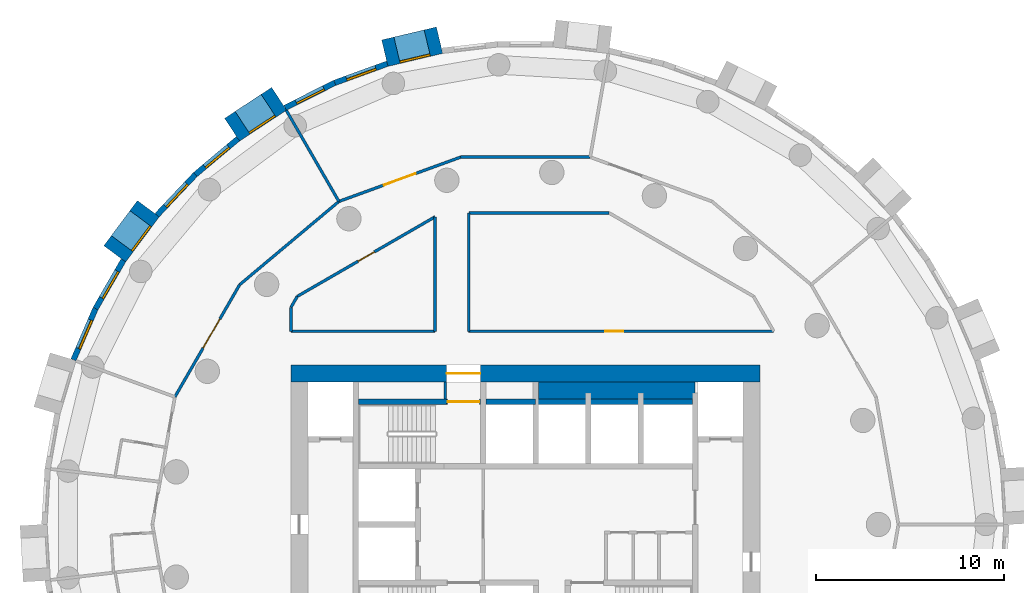
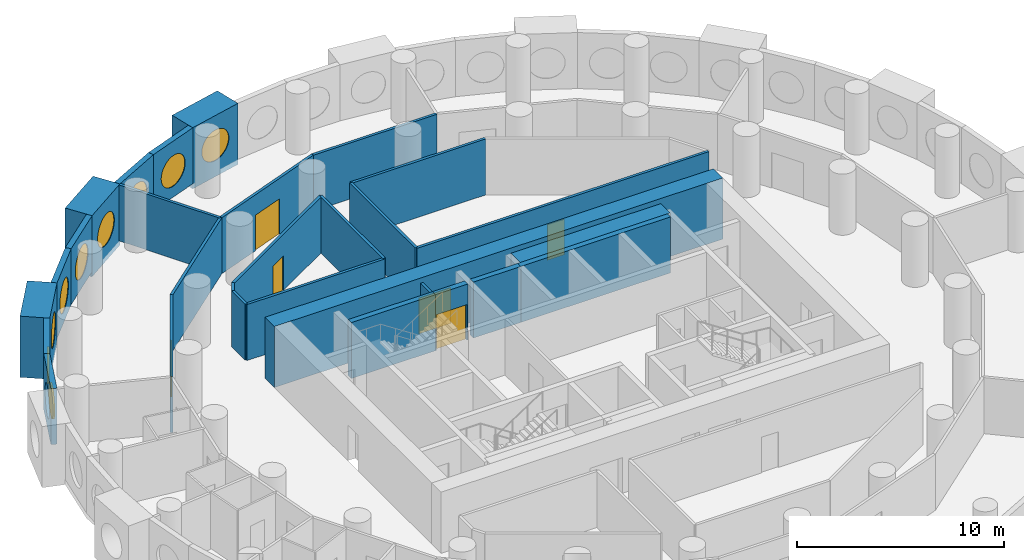
# One storey, part 6 of 9: 29 walls, 9 windows, 6 doors, 15 openings.
"""IFC4 building model written with IfcOpenShell, lengths in metres."""

from ifc_helpers import new_model, si_unit, direction, frame, frame_2d, origin, origin_2d, place, context, subcontext, project, spatial, rectangle, circle, extrude, material, layer, layer_set, type_object, element, fill, save


model = new_model("IFC4")

# Units and contexts
model_context = context("Model", 3, precision=1e-05, world=origin(), true_north=direction((0.0, 1.0)))
body_context = subcontext(model_context, "Body", "Model", "MODEL_VIEW")
ifc_project = project(units=[si_unit("LENGTHUNIT", "METRE"), si_unit("AREAUNIT", "SQUARE_METRE"), si_unit("VOLUMEUNIT", "CUBIC_METRE"), si_unit("PLANEANGLEUNIT", "RADIAN"), si_unit("MASSUNIT", "GRAM", prefix="KILO")], contexts=[model_context])

# Site, building, storey
site_placement = place(None, origin())
site = spatial("IfcSite", under=ifc_project, at=site_placement, CompositionType="ELEMENT")
building_placement = place(site_placement, origin())
building = spatial("IfcBuilding", under=site, at=building_placement, Name="Tracery Tower", CompositionType="ELEMENT")
storey_placement = place(building_placement, frame((0.0, 0.0, 205.199951171875)))
storey = spatial("IfcBuildingStorey", under=building, at=storey_placement, Name="L53", CompositionType="ELEMENT", Elevation=205.199951171875)

# Walls
ifc_material_1 = material(Name="Plasterboard on steel studs", Category="steel")
ifc_layer_1 = layer(ifc_material_1, 0.14990234375)
ifc_layer_set_1 = layer_set([ifc_layer_1], Name="Core room partition 150")
wall_type_1 = type_object("IfcWallType", Name="Core room partition 150", PredefinedType="SOLIDWALL", material=ifc_layer_set_1)
wall_1_placement = place(storey_placement, frame((-4.27490234375, 6.699951171875, 0.0), z_axis=(0.0, 0.0, 1.0), x_axis=(0.0, 1.0, 0.0)))
element("IfcWall", 1, at=wall_1_placement, inside=storey, type_object=wall_type_1, Name="L53 F N room", PredefinedType="SOLIDWALL", context=body_context, shape_type="SweptSolid", body=[
    extrude(rectangle(XDim=0.900146484375, YDim=0.14990234375, at=frame_2d((0.4501953125, 0.0))), origin(), (0.0, 0.0, 1.0), 3.300048828125),
])
ifc_material_2 = material(Name="Concrete C50/60", Category="concrete")
ifc_layer_2 = layer(ifc_material_2, 0.89990234375)
ifc_layer_set_2 = layer_set([ifc_layer_2], Name="Core strip wall 900 C50")
wall_type_2 = type_object("IfcWallType", Name="Core strip wall 900 C50", PredefinedType="SOLIDWALL", material=ifc_layer_set_2)
wall_2_placement = place(storey_placement, frame((0.699951171875, 7.14990234375, 0.0), z_axis=(0.0, 0.0, 1.0), x_axis=(1.0, 0.0, 0.0)))
element("IfcWall", 2, at=wall_2_placement, inside=storey, type_object=wall_type_2, Name="L53 F thick N E", PredefinedType="SOLIDWALL", context=body_context, shape_type="SweptSolid", body=[
    extrude(rectangle(XDim=8.35009765625, YDim=0.89990234375, at=frame_2d((4.175048828125, 0.0))), origin(), (0.0, 0.0, 1.0), 3.300048828125),
])

# Wall, opening, door
ifc_material_3 = material(Name="Concrete C50/60", Category="concrete")
ifc_layer_3 = layer(ifc_material_3, 0.89990234375)
ifc_layer_set_3 = layer_set([ifc_layer_3], Name="Core wall 900 C50")
wall_type_3 = type_object("IfcWallType", Name="Core wall 900 C50", PredefinedType="SOLIDWALL", material=ifc_layer_set_3)
wall_3_placement = place(storey_placement, frame((-12.5, 8.050048828125, 0.0), z_axis=(0.0, 0.0, 1.0), x_axis=(1.0, 0.0, 0.0)))
wall_3 = element("IfcWall", 3, at=wall_3_placement, inside=storey, type_object=wall_type_3, Name="L53 outer N", PredefinedType="SOLIDWALL", context=body_context, shape_type="SweptSolid", body=[
    extrude(rectangle(XDim=25.0, YDim=0.89990234375, at=frame_2d((12.5, 0.0))), origin(), (0.0, 0.0, 1.0), 3.60009765625),
])
opening_1_placement = place(wall_3_placement, frame((8.300048828125, 0.0, 0.0)))
opening_1 = element("IfcOpeningElement", 4, at=opening_1_placement, cuts=wall_3, Name="Opening KD13", PredefinedType="OPENING", context=body_context, shape_type="SweptSolid", body=[
    extrude(rectangle(XDim=1.800048828125, YDim=2.10009765625, at=frame_2d((0.89990234375, 1.050048828125))), frame((0.0, 0.449951171875, 0.0), z_axis=(0.0, -1.0, 0.0), x_axis=(1.0, 0.0, 0.0)), (0.0, 0.0, 1.0), 0.89990234375),
])
ifc_material_4 = material(Name="Steel fire door", Category="steel")
door_type_1 = type_object("IfcDoorType", Name="Core exit door 1800 double", OperationType="NOTDEFINED", PredefinedType="DOOR", material=ifc_material_4)
door_1_placement = place(opening_1_placement, origin())
door_1 = element("IfcDoor", 5, at=door_1_placement, inside=storey, type_object=door_type_1, Name="Core exit door", OperationType="DOUBLE_DOOR_SINGLE_SWING", OverallHeight=2.10009765625, OverallWidth=1.800048828125, PredefinedType="DOOR", context=body_context, shape_type="SweptSolid", body=[
    extrude(rectangle(XDim=1.800048828125, YDim=2.10009765625, at=frame_2d((0.89990234375, 1.050048828125))), frame((0.0, 0.02490234375, 0.0), z_axis=(0.0, -1.0, 0.0), x_axis=(1.0, 0.0, 0.0)), (0.0, 0.0, 1.0), 0.050048828125),
])
fill(opening_1, door_1)

# Wall, opening, window
ifc_material_5 = material(Name="Precast concrete C50/60", Category="concrete")
ifc_layer_4 = layer(ifc_material_5, 1.449951171875)
ifc_layer_set_4 = layer_set([ifc_layer_4], Name="Deep-set bay unit 3000 x 3600, slab edge 300")
wall_type_4 = type_object("IfcWallType", Name="Deep-set bay unit 3000 x 3600, slab edge 300", PredefinedType="ELEMENTEDWALL", material=ifc_layer_set_4)
wall_4_placement = place(storey_placement, frame((-4.57763671875, 25.8193359375, -0.300048828125), z_axis=(0.0, 0.0, 1.0), x_axis=(-0.973042333261, -0.23062657627, 0.0)))
wall_4 = element("IfcWall", 6, at=wall_4_placement, inside=storey, type_object=wall_type_4, Name="Deep-set bay unit 16 at L53", PredefinedType="ELEMENTEDWALL", context=body_context, shape_type="SweptSolid", body=[
    extrude(rectangle(XDim=3.0, YDim=1.449951171875, at=frame_2d((1.5, 0.0))), origin(), (0.0, 0.0, 1.0), 3.60009765625),
])
opening_2_placement = place(wall_4_placement, frame((1.5, 0.0, 1.85009765625)))
opening_2 = element("IfcOpeningElement", 7, at=opening_2_placement, cuts=wall_4, Name="Opening WN1", PredefinedType="OPENING", context=body_context, shape_type="SweptSolid", body=[
    extrude(circle(Radius=0.9000244140625, at=origin_2d()), frame((0.0, 0.73486328125, 0.0), z_axis=(0.0, -1.0, 0.0), x_axis=(1.0, 0.0, 0.0)), (0.0, 0.0, 1.0), 1.469970703125),
])
ifc_material_6 = material(Name="Aluminium frame with tinted double glazing", Category="aluminium")
window_type = type_object("IfcWindowType", Name="Round window 1800", PartitioningType="SINGLE_PANEL", PredefinedType="WINDOW", material=ifc_material_6)
window_1_placement = place(opening_2_placement, origin())
window_1 = element("IfcWindow", 8, at=window_1_placement, inside=storey, type_object=window_type, Name="Round window 16 at L53", OverallHeight=1.800048828125, OverallWidth=1.800048828125, PartitioningType="SINGLE_PANEL", PredefinedType="WINDOW", context=body_context, shape_type="SweptSolid", body=[
    extrude(circle(Radius=0.9000244140625, at=origin_2d()), frame((0.0, 0.69482421875, 0.0), z_axis=(0.0, -1.0, 0.0), x_axis=(1.0, 0.0, 0.0)), (0.0, 0.0, 1.0), 0.10009765625),
])
fill(opening_2, window_1)

wall_5_placement = place(storey_placement, frame((-13.13232421875, 22.696533203125, -0.300048828125), z_axis=(0.0, 0.0, 1.0), x_axis=(-0.835514416706, -0.549468524554, 0.0)))
wall_5 = element("IfcWall", 9, at=wall_5_placement, inside=storey, type_object=wall_type_4, Name="Deep-set bay unit 19 at L53", PredefinedType="ELEMENTEDWALL", context=body_context, shape_type="SweptSolid", body=[
    extrude(rectangle(XDim=3.0, YDim=1.449951171875, at=frame_2d((1.5, 0.0))), origin(), (0.0, 0.0, 1.0), 3.60009765625),
])
opening_3_placement = place(wall_5_placement, frame((1.5, 0.0, 1.85009765625)))
opening_3 = element("IfcOpeningElement", 10, at=opening_3_placement, cuts=wall_5, Name="Opening WN1", PredefinedType="OPENING", context=body_context, shape_type="SweptSolid", body=[
    extrude(circle(Radius=0.9000244140625, at=origin_2d()), frame((0.0, 0.73486328125, 0.0), z_axis=(0.0, -1.0, 0.0), x_axis=(1.0, 0.0, 0.0)), (0.0, 0.0, 1.0), 1.469970703125),
])
window_2_placement = place(opening_3_placement, origin())
window_2 = element("IfcWindow", 11, at=window_2_placement, inside=storey, type_object=window_type, Name="Round window 19 at L53", OverallHeight=1.800048828125, OverallWidth=1.800048828125, PartitioningType="SINGLE_PANEL", PredefinedType="WINDOW", context=body_context, shape_type="SweptSolid", body=[
    extrude(circle(Radius=0.9000244140625, at=origin_2d()), frame((0.0, 0.69482421875, 0.0), z_axis=(0.0, -1.0, 0.0), x_axis=(1.0, 0.0, 0.0)), (0.0, 0.0, 1.0), 0.10009765625),
])
fill(opening_3, window_2)

wall_6_placement = place(storey_placement, frame((-20.10302734375, 16.836181640625, -0.300048828125), z_axis=(0.0, 0.0, 1.0), x_axis=(-0.597183717734, -0.802104486506, 0.0)))
wall_6 = element("IfcWall", 12, at=wall_6_placement, inside=storey, type_object=wall_type_4, Name="Deep-set bay unit 22 at L53", PredefinedType="ELEMENTEDWALL", context=body_context, shape_type="SweptSolid", body=[
    extrude(rectangle(XDim=3.0, YDim=1.449951171875, at=frame_2d((1.5, 0.0))), origin(), (0.0, 0.0, 1.0), 3.60009765625),
])
opening_4_placement = place(wall_6_placement, frame((1.5, 0.0, 1.85009765625)))
opening_4 = element("IfcOpeningElement", 13, at=opening_4_placement, cuts=wall_6, Name="Opening WN1", PredefinedType="OPENING", context=body_context, shape_type="SweptSolid", body=[
    extrude(circle(Radius=0.9000244140625, at=origin_2d()), frame((0.0, 0.73486328125, 0.0), z_axis=(0.0, -1.0, 0.0), x_axis=(1.0, 0.0, 0.0)), (0.0, 0.0, 1.0), 1.469970703125),
])
window_3_placement = place(opening_4_placement, origin())
window_3 = element("IfcWindow", 14, at=window_3_placement, inside=storey, type_object=window_type, Name="Round window 22 at L53", OverallHeight=1.800048828125, OverallWidth=1.800048828125, PartitioningType="SINGLE_PANEL", PredefinedType="WINDOW", context=body_context, shape_type="SweptSolid", body=[
    extrude(circle(Radius=0.9000244140625, at=origin_2d()), frame((0.0, 0.69482421875, 0.0), z_axis=(0.0, -1.0, 0.0), x_axis=(1.0, 0.0, 0.0)), (0.0, 0.0, 1.0), 0.10009765625),
])
fill(opening_4, window_3)

ifc_material_7 = material(Name="Precast concrete C50/60", Category="concrete")
ifc_layer_5 = layer(ifc_material_7, 0.300048828125)
ifc_layer_set_5 = layer_set([ifc_layer_5], Name="Facade panel 3000 x 3300")
wall_type_5 = type_object("IfcWallType", Name="Facade panel 3000 x 3300", PredefinedType="SOLIDWALL", material=ifc_layer_set_5)
wall_7_placement = place(storey_placement, frame((-7.36474609375, 24.566650390625, 0.0), z_axis=(0.0, 0.0, 1.0), x_axis=(-0.939690282133, -0.342026568652, 0.0)))
wall_7 = element("IfcWall", 15, at=wall_7_placement, inside=storey, type_object=wall_type_5, Name="Facade panel 17 at L53", PredefinedType="SOLIDWALL", context=body_context, shape_type="SweptSolid", body=[
    extrude(rectangle(XDim=2.972900390625, YDim=0.300048828125, at=frame_2d((1.486328125, 0.0))), origin(), (0.0, 0.0, 1.0), 3.300048828125),
])
opening_5_placement = place(wall_7_placement, frame((1.486328125, 0.0, 1.5498046875)))
opening_5 = element("IfcOpeningElement", 16, at=opening_5_placement, cuts=wall_7, Name="Opening WN1", PredefinedType="OPENING", context=body_context, shape_type="SweptSolid", body=[
    extrude(circle(Radius=0.9000244140625, at=origin_2d()), frame((0.0, 0.159912109375, 0.0), z_axis=(0.0, -1.0, 0.0), x_axis=(1.0, 0.0, 0.0)), (0.0, 0.0, 1.0), 0.320068359375),
])
window_4_placement = place(opening_5_placement, origin())
window_4 = element("IfcWindow", 17, at=window_4_placement, inside=storey, type_object=window_type, Name="Round window 17 at L53", OverallHeight=1.800048828125, OverallWidth=1.800048828125, PartitioningType="SINGLE_PANEL", PredefinedType="WINDOW", context=body_context, shape_type="SweptSolid", body=[
    extrude(circle(Radius=0.9000244140625, at=origin_2d()), frame((0.0, 0.1201171875, 0.0), z_axis=(0.0, -1.0, 0.0), x_axis=(1.0, 0.0, 0.0)), (0.0, 0.0, 1.0), 0.10009765625),
])
fill(opening_5, window_4)

wall_8_placement = place(storey_placement, frame((-10.158447265625, 23.5498046875, 0.0), z_axis=(0.0, 0.0, 1.0), x_axis=(-0.893637442555, -0.448789618045, 0.0)))
wall_8 = element("IfcWall", 18, at=wall_8_placement, inside=storey, type_object=wall_type_5, Name="Facade panel 18 at L53", PredefinedType="SOLIDWALL", context=body_context, shape_type="SweptSolid", body=[
    extrude(rectangle(XDim=2.972900390625, YDim=0.300048828125, at=frame_2d((1.486328125, 0.0))), origin(), (0.0, 0.0, 1.0), 3.300048828125),
])
opening_6_placement = place(wall_8_placement, frame((1.486328125, 0.0, 1.5498046875)))
opening_6 = element("IfcOpeningElement", 19, at=opening_6_placement, cuts=wall_8, Name="Opening WN1", PredefinedType="OPENING", context=body_context, shape_type="SweptSolid", body=[
    extrude(circle(Radius=0.9000244140625, at=origin_2d()), frame((0.0, 0.159912109375, 0.0), z_axis=(0.0, -1.0, 0.0), x_axis=(1.0, 0.0, 0.0)), (0.0, 0.0, 1.0), 0.320068359375),
])
window_5_placement = place(opening_6_placement, origin())
window_5 = element("IfcWindow", 20, at=window_5_placement, inside=storey, type_object=window_type, Name="Round window 18 at L53", OverallHeight=1.800048828125, OverallWidth=1.800048828125, PartitioningType="SINGLE_PANEL", PredefinedType="WINDOW", context=body_context, shape_type="SweptSolid", body=[
    extrude(circle(Radius=0.9000244140625, at=origin_2d()), frame((0.0, 0.1201171875, 0.0), z_axis=(0.0, -1.0, 0.0), x_axis=(1.0, 0.0, 0.0)), (0.0, 0.0, 1.0), 0.10009765625),
])
fill(opening_6, window_5)

wall_9_placement = place(storey_placement, frame((-15.322998046875, 20.566162109375, 0.0), z_axis=(0.0, 0.0, 1.0), x_axis=(-0.766049350637, -0.642781761089, 0.0)))
wall_9 = element("IfcWall", 21, at=wall_9_placement, inside=storey, type_object=wall_type_5, Name="Facade panel 20 at L53", PredefinedType="SOLIDWALL", context=body_context, shape_type="SweptSolid", body=[
    extrude(rectangle(XDim=2.972900390625, YDim=0.300048828125, at=frame_2d((1.486328125, 0.0))), origin(), (0.0, 0.0, 1.0), 3.300048828125),
])
opening_7_placement = place(wall_9_placement, frame((1.486328125, 0.0, 1.5498046875)))
opening_7 = element("IfcOpeningElement", 22, at=opening_7_placement, cuts=wall_9, Name="Opening WN1", PredefinedType="OPENING", context=body_context, shape_type="SweptSolid", body=[
    extrude(circle(Radius=0.9000244140625, at=origin_2d()), frame((0.0, 0.159912109375, 0.0), z_axis=(0.0, -1.0, 0.0), x_axis=(1.0, 0.0, 0.0)), (0.0, 0.0, 1.0), 0.320068359375),
])
window_6_placement = place(opening_7_placement, origin())
window_6 = element("IfcWindow", 23, at=window_6_placement, inside=storey, type_object=window_type, Name="Round window 20 at L53", OverallHeight=1.800048828125, OverallWidth=1.800048828125, PartitioningType="SINGLE_PANEL", PredefinedType="WINDOW", context=body_context, shape_type="SweptSolid", body=[
    extrude(circle(Radius=0.9000244140625, at=origin_2d()), frame((0.0, 0.1201171875, 0.0), z_axis=(0.0, -1.0, 0.0), x_axis=(1.0, 0.0, 0.0)), (0.0, 0.0, 1.0), 0.10009765625),
])
fill(opening_7, window_6)

wall_10_placement = place(storey_placement, frame((-17.600341796875, 18.6552734375, 0.0), z_axis=(0.0, 0.0, 1.0), x_axis=(-0.686235184166, -0.727379730273, 0.0)))
wall_10 = element("IfcWall", 24, at=wall_10_placement, inside=storey, type_object=wall_type_5, Name="Facade panel 21 at L53", PredefinedType="SOLIDWALL", context=body_context, shape_type="SweptSolid", body=[
    extrude(rectangle(XDim=2.972900390625, YDim=0.300048828125, at=frame_2d((1.486328125, 0.0))), origin(), (0.0, 0.0, 1.0), 3.300048828125),
])
opening_8_placement = place(wall_10_placement, frame((1.486328125, 0.0, 1.5498046875)))
opening_8 = element("IfcOpeningElement", 25, at=opening_8_placement, cuts=wall_10, Name="Opening WN1", PredefinedType="OPENING", context=body_context, shape_type="SweptSolid", body=[
    extrude(circle(Radius=0.9000244140625, at=origin_2d()), frame((0.0, 0.159912109375, 0.0), z_axis=(0.0, -1.0, 0.0), x_axis=(1.0, 0.0, 0.0)), (0.0, 0.0, 1.0), 0.320068359375),
])
window_7_placement = place(opening_8_placement, origin())
window_7 = element("IfcWindow", 26, at=window_7_placement, inside=storey, type_object=window_type, Name="Round window 21 at L53", OverallHeight=1.800048828125, OverallWidth=1.800048828125, PartitioningType="SINGLE_PANEL", PredefinedType="WINDOW", context=body_context, shape_type="SweptSolid", body=[
    extrude(circle(Radius=0.9000244140625, at=origin_2d()), frame((0.0, 0.1201171875, 0.0), z_axis=(0.0, -1.0, 0.0), x_axis=(1.0, 0.0, 0.0)), (0.0, 0.0, 1.0), 0.10009765625),
])
fill(opening_8, window_7)

wall_11_placement = place(storey_placement, frame((-21.432861328125, 14.085205078125, 0.0), z_axis=(0.0, 0.0, 1.0), x_axis=(-0.500016263033, -0.866016014115, 0.0)))
wall_11 = element("IfcWall", 27, at=wall_11_placement, inside=storey, type_object=wall_type_5, Name="Facade panel 23 at L53", PredefinedType="SOLIDWALL", context=body_context, shape_type="SweptSolid", body=[
    extrude(rectangle(XDim=2.97314453125, YDim=0.300048828125, at=frame_2d((1.486572265625, 0.0))), origin(), (0.0, 0.0, 1.0), 3.300048828125),
])
opening_9_placement = place(wall_11_placement, frame((1.486328125, 0.0, 1.5498046875)))
opening_9 = element("IfcOpeningElement", 28, at=opening_9_placement, cuts=wall_11, Name="Opening WN1", PredefinedType="OPENING", context=body_context, shape_type="SweptSolid", body=[
    extrude(circle(Radius=0.9000244140625, at=origin_2d()), frame((0.0, 0.159912109375, 0.0), z_axis=(0.0, -1.0, 0.0), x_axis=(1.0, 0.0, 0.0)), (0.0, 0.0, 1.0), 0.320068359375),
])
window_8_placement = place(opening_9_placement, origin())
window_8 = element("IfcWindow", 29, at=window_8_placement, inside=storey, type_object=window_type, Name="Round window 23 at L53", OverallHeight=1.800048828125, OverallWidth=1.800048828125, PartitioningType="SINGLE_PANEL", PredefinedType="WINDOW", context=body_context, shape_type="SweptSolid", body=[
    extrude(circle(Radius=0.9000244140625, at=origin_2d()), frame((0.0, 0.1201171875, 0.0), z_axis=(0.0, -1.0, 0.0), x_axis=(1.0, 0.0, 0.0)), (0.0, 0.0, 1.0), 0.10009765625),
])
fill(opening_9, window_8)

wall_12_placement = place(storey_placement, frame((-22.91943359375, 11.510498046875, 0.0), z_axis=(0.0, 0.0, 1.0), x_axis=(-0.396078892785, -0.918216483565, 0.0)))
wall_12 = element("IfcWall", 30, at=wall_12_placement, inside=storey, type_object=wall_type_5, Name="Facade panel 24 at L53", PredefinedType="SOLIDWALL", context=body_context, shape_type="SweptSolid", body=[
    extrude(rectangle(XDim=2.972900390625, YDim=0.300048828125, at=frame_2d((1.486328125, 0.0))), origin(), (0.0, 0.0, 1.0), 3.300048828125),
])
opening_10_placement = place(wall_12_placement, frame((1.486328125, 0.0, 1.5498046875)))
opening_10 = element("IfcOpeningElement", 31, at=opening_10_placement, cuts=wall_12, Name="Opening WN1", PredefinedType="OPENING", context=body_context, shape_type="SweptSolid", body=[
    extrude(circle(Radius=0.9000244140625, at=origin_2d()), frame((0.0, 0.159912109375, 0.0), z_axis=(0.0, -1.0, 0.0), x_axis=(1.0, 0.0, 0.0)), (0.0, 0.0, 1.0), 0.320068359375),
])
window_9_placement = place(opening_10_placement, origin())
window_9 = element("IfcWindow", 32, at=window_9_placement, inside=storey, type_object=window_type, Name="Round window 24 at L53", OverallHeight=1.800048828125, OverallWidth=1.800048828125, PartitioningType="SINGLE_PANEL", PredefinedType="WINDOW", context=body_context, shape_type="SweptSolid", body=[
    extrude(circle(Radius=0.9000244140625, at=origin_2d()), frame((0.0, 0.1201171875, 0.0), z_axis=(0.0, -1.0, 0.0), x_axis=(1.0, 0.0, 0.0)), (0.0, 0.0, 1.0), 0.10009765625),
])
fill(opening_10, window_9)

# Walls
ifc_material_8 = material(Name="Plasterboard on steel studs", Category="steel")
ifc_layer_6 = layer(ifc_material_8, 0.14990234375)
ifc_layer_set_6 = layer_set([ifc_layer_6], Name="Partition 150 acoustic unit wall")
wall_type_6 = type_object("IfcWallType", Name="Partition 150 acoustic unit wall", PredefinedType="PARTITIONING", material=ifc_layer_set_6)
wall_13_placement = place(storey_placement, frame((-12.7490234375, 22.0810546875, 0.0), z_axis=(0.0, 0.0, 1.0), x_axis=(0.500010020406, -0.866019618423, 0.0)))
element("IfcWall", 33, at=wall_13_placement, inside=storey, type_object=wall_type_6, Name="Unit wall RB8-043", PredefinedType="PARTITIONING", context=body_context, shape_type="SweptSolid", body=[
    extrude(rectangle(XDim=5.60986328125, YDim=0.14990234375, at=frame_2d((2.804931640625, 0.0))), origin(), (0.0, 0.0, 1.0), 3.300048828125),
])
ifc_material_9 = material(Name="Plasterboard on steel studs", Category="steel")
ifc_layer_7 = layer(ifc_material_9, 0.14990234375)
ifc_layer_set_7 = layer_set([ifc_layer_7], Name="Partition 150 corridor wall")
wall_type_7 = type_object("IfcWallType", Name="Partition 150 corridor wall", PredefinedType="PARTITIONING", material=ifc_layer_set_7)
wall_14_placement = place(storey_placement, frame((-12.50390625, 10.300048828125, 0.0), z_axis=(0.0, 0.0, 1.0), x_axis=(1.0, 0.0, 0.0)))
element("IfcWall", 34, at=wall_14_placement, inside=storey, type_object=wall_type_7, Name="Corridor wall RB8-001", PredefinedType="PARTITIONING", context=body_context, shape_type="SweptSolid", body=[
    extrude(rectangle(XDim=7.68701171875, YDim=0.14990234375, at=frame_2d((3.843505859375, 0.0))), origin(), (0.0, 0.0, 1.0), 3.300048828125),
])

# Wall, opening, door
wall_15_placement = place(storey_placement, frame((-3.02490234375, 10.300048828125, 0.0), z_axis=(0.0, 0.0, 1.0), x_axis=(1.0, 0.0, 0.0)))
wall_15 = element("IfcWall", 35, at=wall_15_placement, inside=storey, type_object=wall_type_7, Name="Corridor wall RB8-002", PredefinedType="PARTITIONING", context=body_context, shape_type="SweptSolid", body=[
    extrude(rectangle(XDim=16.261962890625, YDim=0.14990234375, at=frame_2d((8.130859375, 0.0))), origin(), (0.0, 0.0, 1.0), 3.300048828125),
])
opening_11_placement = place(wall_15_placement, frame((7.2880859375, 0.0, 0.0)))
opening_11 = element("IfcOpeningElement", 36, at=opening_11_placement, cuts=wall_15, Name="Opening RB8-02", PredefinedType="OPENING", context=body_context, shape_type="SweptSolid", body=[
    extrude(rectangle(XDim=0.949951171875, YDim=2.10009765625, at=frame_2d((0.47509765625, 1.050048828125))), frame((0.0, 0.074951171875, 0.0), z_axis=(0.0, -1.0, 0.0), x_axis=(1.0, 0.0, 0.0)), (0.0, 0.0, 1.0), 0.14990234375),
])
ifc_material_10 = material(Name="Timber door leaf", Category="wood")
door_type_2 = type_object("IfcDoorType", Name="Door store 950", OperationType="NOTDEFINED", PredefinedType="DOOR", material=ifc_material_10)
door_2_placement = place(opening_11_placement, origin())
door_2 = element("IfcDoor", 37, at=door_2_placement, inside=storey, type_object=door_type_2, Name="Store door RB8-02", OperationType="SINGLE_SWING_RIGHT", OverallHeight=2.10009765625, OverallWidth=0.949951171875, PredefinedType="DOOR", context=body_context, shape_type="SweptSolid", body=[
    extrude(rectangle(XDim=0.949951171875, YDim=2.10009765625, at=frame_2d((0.47509765625, 1.050048828125))), frame((0.0, 0.02490234375, 0.0), z_axis=(0.0, -1.0, 0.0), x_axis=(1.0, 0.0, 0.0)), (0.0, 0.0, 1.0), 0.050048828125),
])
fill(opening_11, door_2)

# Wall
wall_16_placement = place(storey_placement, frame((-4.821044921875, 10.300048828125, 0.0), z_axis=(0.0, 0.0, 1.0), x_axis=(0.0, 1.0, 0.0)))
element("IfcWall", 38, at=wall_16_placement, inside=storey, type_object=wall_type_7, Name="Corridor wall RB8-013", PredefinedType="PARTITIONING", context=body_context, shape_type="SweptSolid", body=[
    extrude(rectangle(XDim=6.100830078125, YDim=0.14990234375, at=frame_2d((3.05029296875, 0.0))), origin(), (0.0, 0.0, 1.0), 3.300048828125),
])

# Wall, opening, door
wall_17_placement = place(storey_placement, frame((-12.162109375, 12.162109375, 0.0), z_axis=(0.0, 0.0, 1.0), x_axis=(0.866004766557, 0.500035743023, 0.0)))
wall_17 = element("IfcWall", 39, at=wall_17_placement, inside=storey, type_object=wall_type_7, Name="Corridor wall RB8-014", PredefinedType="PARTITIONING", context=body_context, shape_type="SweptSolid", body=[
    extrude(rectangle(XDim=8.47705078125, YDim=0.14990234375, at=frame_2d((4.238525390625, 0.0))), origin(), (0.0, 0.0, 1.0), 3.300048828125),
])
opening_12_placement = place(wall_17_placement, frame((3.739013671875, 0.0, 0.0)))
opening_12 = element("IfcOpeningElement", 40, at=opening_12_placement, cuts=wall_17, Name="Opening RB8-01", PredefinedType="OPENING", context=body_context, shape_type="SweptSolid", body=[
    extrude(rectangle(XDim=1.0, YDim=2.0400390625, at=frame_2d((0.5, 1.02001953125))), frame((0.0, 0.074951171875, 0.0), z_axis=(0.0, -1.0, 0.0), x_axis=(1.0, 0.0, 0.0)), (0.0, 0.0, 1.0), 0.14990234375),
])
ifc_material_11 = material(Name="Timber door leaf", Category="wood")
door_type_3 = type_object("IfcDoorType", Name="Door communal room 1000", OperationType="NOTDEFINED", PredefinedType="DOOR", material=ifc_material_11)
door_3_placement = place(opening_12_placement, origin())
door_3 = element("IfcDoor", 41, at=door_3_placement, inside=storey, type_object=door_type_3, Name="Communal room door RB8-01", OperationType="SINGLE_SWING_LEFT", OverallHeight=2.0400390625, OverallWidth=1.0, PredefinedType="DOOR", context=body_context, shape_type="SweptSolid", body=[
    extrude(rectangle(XDim=1.0, YDim=2.0400390625, at=frame_2d((0.5, 1.02001953125))), frame((0.0, 0.02490234375, 0.0), z_axis=(0.0, -1.0, 0.0), x_axis=(1.0, 0.0, 0.0)), (0.0, 0.0, 1.0), 0.050048828125),
])
fill(opening_12, door_3)

# Walls
wall_18_placement = place(storey_placement, frame((-3.02099609375, 16.614013671875, 0.0), z_axis=(0.0, 0.0, 1.0), x_axis=(1.0, 0.0, 0.0)))
element("IfcWall", 42, at=wall_18_placement, inside=storey, type_object=wall_type_7, Name="Corridor wall RB8-016", PredefinedType="PARTITIONING", context=body_context, shape_type="SweptSolid", body=[
    extrude(rectangle(XDim=7.472900390625, YDim=0.14990234375, at=frame_2d((3.736328125, 0.0))), origin(), (0.0, 0.0, 1.0), 3.300048828125),
])
wall_19_placement = place(storey_placement, frame((-3.02099609375, 10.300048828125, 0.0), z_axis=(0.0, 0.0, 1.0), x_axis=(0.0, 1.0, 0.0)))
element("IfcWall", 43, at=wall_19_placement, inside=storey, type_object=wall_type_7, Name="Corridor wall RB8-017", PredefinedType="PARTITIONING", context=body_context, shape_type="SweptSolid", body=[
    extrude(rectangle(XDim=6.31396484375, YDim=0.14990234375, at=frame_2d((3.156982421875, 0.0))), origin(), (0.0, 0.0, 1.0), 3.300048828125),
])

# Wall, opening, door
wall_20_placement = place(storey_placement, frame((-9.944091796875, 17.222900390625, 0.0), z_axis=(0.0, 0.0, 1.0), x_axis=(0.939672634566, 0.342075050021, 0.0)))
wall_20 = element("IfcWall", 44, at=wall_20_placement, inside=storey, type_object=wall_type_7, Name="Corridor wall RB8-019", PredefinedType="PARTITIONING", context=body_context, shape_type="SweptSolid", body=[
    extrude(rectangle(XDim=6.907958984375, YDim=0.14990234375, at=frame_2d((3.4541015625, 0.0))), origin(), (0.0, 0.0, 1.0), 3.300048828125),
])
opening_13_placement = place(wall_20_placement, frame((2.553955078125, 0.0, 0.0)))
opening_13 = element("IfcOpeningElement", 45, at=opening_13_placement, cuts=wall_20, Name="Opening RB8-07", PredefinedType="OPENING", context=body_context, shape_type="SweptSolid", body=[
    extrude(rectangle(XDim=1.800048828125, YDim=2.10009765625, at=frame_2d((0.89990234375, 1.050048828125))), frame((0.0, 0.074951171875, 0.0), z_axis=(0.0, -1.0, 0.0), x_axis=(1.0, 0.0, 0.0)), (0.0, 0.0, 1.0), 0.14990234375),
])
ifc_material_12 = material(Name="Timber door leaf", Category="wood")
door_type_4 = type_object("IfcDoorType", Name="Door double lounge 1800", OperationType="NOTDEFINED", PredefinedType="DOOR", material=ifc_material_12)
door_4_placement = place(opening_13_placement, origin())
door_4 = element("IfcDoor", 46, at=door_4_placement, inside=storey, type_object=door_type_4, Name="Double lounge door RB8-07", OperationType="DOUBLE_DOOR_SINGLE_SWING", OverallHeight=2.10009765625, OverallWidth=1.800048828125, PredefinedType="DOOR", context=body_context, shape_type="SweptSolid", body=[
    extrude(rectangle(XDim=1.800048828125, YDim=2.10009765625, at=frame_2d((0.89990234375, 1.050048828125))), frame((0.0, 0.02490234375, 0.0), z_axis=(0.0, -1.0, 0.0), x_axis=(1.0, 0.0, 0.0)), (0.0, 0.0, 1.0), 0.050048828125),
])
fill(opening_13, door_4)

# Walls
wall_21_placement = place(storey_placement, frame((-3.452880859375, 19.5859375, 0.0), z_axis=(0.0, 0.0, 1.0), x_axis=(1.0, 0.0, 0.0)))
element("IfcWall", 47, at=wall_21_placement, inside=storey, type_object=wall_type_7, Name="Corridor wall RB8-020", PredefinedType="PARTITIONING", context=body_context, shape_type="SweptSolid", body=[
    extrude(rectangle(XDim=6.90576171875, YDim=0.14990234375, at=frame_2d((3.452880859375, 0.0))), origin(), (0.0, 0.0, 1.0), 3.300048828125),
])
wall_22_placement = place(storey_placement, frame((-15.23486328125, 12.78369140625, 0.0), z_axis=(0.0, 0.0, 1.0), x_axis=(0.766064078986, 0.642764207845, 0.0)))
element("IfcWall", 48, at=wall_22_placement, inside=storey, type_object=wall_type_7, Name="Corridor wall RB8-021", PredefinedType="PARTITIONING", context=body_context, shape_type="SweptSolid", body=[
    extrude(rectangle(XDim=6.906494140625, YDim=0.14990234375, at=frame_2d((3.453125, 0.0))), origin(), (0.0, 0.0, 1.0), 3.300048828125),
])
wall_23_placement = place(storey_placement, frame((-12.5, 11.576904296875, 0.0), z_axis=(0.0, 0.0, 1.0), x_axis=(0.500024767483, 0.866011103799, 0.0)))
element("IfcWall", 49, at=wall_23_placement, inside=storey, type_object=wall_type_7, Name="Corridor wall RB8-022", PredefinedType="PARTITIONING", context=body_context, shape_type="SweptSolid", body=[
    extrude(rectangle(XDim=0.67578125, YDim=0.14990234375, at=frame_2d((0.337890625, 0.0))), origin(), (0.0, 0.0, 1.0), 3.300048828125),
])
wall_24_placement = place(storey_placement, frame((-12.5, 10.300048828125, 0.0), z_axis=(0.0, 0.0, 1.0), x_axis=(0.0, 1.0, 0.0)))
element("IfcWall", 50, at=wall_24_placement, inside=storey, type_object=wall_type_7, Name="Corridor wall RB8-023", PredefinedType="PARTITIONING", context=body_context, shape_type="SweptSolid", body=[
    extrude(rectangle(XDim=1.27685546875, YDim=0.14990234375, at=frame_2d((0.638427734375, 0.0))), origin(), (0.0, 0.0, 1.0), 3.300048828125),
])

# Wall, opening, door
wall_25_placement = place(storey_placement, frame((-18.68798828125, 6.802001953125, 0.0), z_axis=(0.0, 0.0, 1.0), x_axis=(0.499914202267, 0.866074933462, 0.0)))
wall_25 = element("IfcWall", 51, at=wall_25_placement, inside=storey, type_object=wall_type_7, Name="Corridor wall RB8-026", PredefinedType="PARTITIONING", context=body_context, shape_type="SweptSolid", body=[
    extrude(rectangle(XDim=6.906982421875, YDim=0.14990234375, at=frame_2d((3.45361328125, 0.0))), origin(), (0.0, 0.0, 1.0), 3.300048828125),
])
opening_14_placement = place(wall_25_placement, frame((3.00390625, 0.0, 0.0)))
opening_14 = element("IfcOpeningElement", 52, at=opening_14_placement, cuts=wall_25, Name="Opening RB8-08", PredefinedType="OPENING", context=body_context, shape_type="SweptSolid", body=[
    extrude(rectangle(XDim=1.800048828125, YDim=2.10009765625, at=frame_2d((0.89990234375, 1.050048828125))), frame((0.0, 0.074951171875, 0.0), z_axis=(0.0, -1.0, 0.0), x_axis=(1.0, 0.0, 0.0)), (0.0, 0.0, 1.0), 0.14990234375),
])
door_5_placement = place(opening_14_placement, origin())
door_5 = element("IfcDoor", 53, at=door_5_placement, inside=storey, type_object=door_type_4, Name="Double lounge door RB8-08", OperationType="DOUBLE_DOOR_SINGLE_SWING", OverallHeight=2.10009765625, OverallWidth=1.800048828125, PredefinedType="DOOR", context=body_context, shape_type="SweptSolid", body=[
    extrude(rectangle(XDim=1.800048828125, YDim=2.10009765625, at=frame_2d((0.89990234375, 1.050048828125))), frame((0.0, 0.02490234375, 0.0), z_axis=(0.0, -1.0, 0.0), x_axis=(1.0, 0.0, 0.0)), (0.0, 0.0, 1.0), 0.050048828125),
])
fill(opening_14, door_5)

# Wall
ifc_material_13 = material(Name="Concrete C50/60", Category="concrete")
ifc_layer_8 = layer(ifc_material_13, 0.300048828125)
ifc_layer_set_8 = layer_set([ifc_layer_8], Name="Stair wall 300 C50")
wall_type_8 = type_object("IfcWallType", Name="Stair wall 300 C50", PredefinedType="SOLIDWALL", material=ifc_layer_set_8)
wall_26_placement = place(storey_placement, frame((-8.89990234375, 6.550048828125, 0.0), z_axis=(0.0, 0.0, 1.0), x_axis=(1.0, 0.0, 0.0)))
element("IfcWall", 54, at=wall_26_placement, inside=storey, type_object=wall_type_8, Name="L53 F N W", PredefinedType="SOLIDWALL", context=body_context, shape_type="SweptSolid", body=[
    extrude(rectangle(XDim=4.699951171875, YDim=0.300048828125, at=frame_2d((2.35009765625, 0.0))), origin(), (0.0, 0.0, 1.0), 3.300048828125),
])

# Wall, opening, door
wall_27_placement = place(storey_placement, frame((-4.199951171875, 6.550048828125, 0.0), z_axis=(0.0, 0.0, 1.0), x_axis=(1.0, 0.0, 0.0)))
wall_27 = element("IfcWall", 55, at=wall_27_placement, inside=storey, type_object=wall_type_8, Name="L53 F stair N", PredefinedType="SOLIDWALL", context=body_context, shape_type="SweptSolid", body=[
    extrude(rectangle(XDim=1.800048828125, YDim=0.300048828125, at=frame_2d((0.89990234375, 0.0))), origin(), (0.0, 0.0, 1.0), 3.300048828125),
])
opening_15_placement = place(wall_27_placement, frame((0.050048828125, 0.0, 0.0)))
opening_15 = element("IfcOpeningElement", 56, at=opening_15_placement, cuts=wall_27, Name="Opening KD3", PredefinedType="OPENING", context=body_context, shape_type="SweptSolid", body=[
    extrude(rectangle(XDim=1.699951171875, YDim=2.10009765625, at=frame_2d((0.85009765625, 1.050048828125))), frame((0.0, 0.14990234375, 0.0), z_axis=(0.0, -1.0, 0.0), x_axis=(1.0, 0.0, 0.0)), (0.0, 0.0, 1.0), 0.300048828125),
])
ifc_material_14 = material(Name="Steel fire door", Category="steel")
door_type_5 = type_object("IfcDoorType", Name="Core stair door 1700 double", OperationType="NOTDEFINED", PredefinedType="DOOR", material=ifc_material_14)
door_6_placement = place(opening_15_placement, origin())
door_6 = element("IfcDoor", 57, at=door_6_placement, inside=storey, type_object=door_type_5, Name="Stair door vest", OperationType="DOUBLE_DOOR_SINGLE_SWING", OverallHeight=2.10009765625, OverallWidth=1.699951171875, PredefinedType="DOOR", context=body_context, shape_type="SweptSolid", body=[
    extrude(rectangle(XDim=1.699951171875, YDim=2.10009765625, at=frame_2d((0.85009765625, 1.050048828125))), frame((0.0, 0.02490234375, 0.0), z_axis=(0.0, -1.0, 0.0), x_axis=(1.0, 0.0, 0.0)), (0.0, 0.0, 1.0), 0.050048828125),
])
fill(opening_15, door_6)

# Walls
wall_28_placement = place(storey_placement, frame((-2.10009765625, 6.550048828125, 0.0), z_axis=(0.0, 0.0, 1.0), x_axis=(1.0, 0.0, 0.0)))
element("IfcWall", 58, at=wall_28_placement, inside=storey, type_object=wall_type_8, Name="L53 F N E1", PredefinedType="SOLIDWALL", context=body_context, shape_type="SweptSolid", body=[
    extrude(rectangle(XDim=2.650146484375, YDim=0.300048828125, at=frame_2d((1.3251953125, 0.0))), origin(), (0.0, 0.0, 1.0), 3.300048828125),
])
wall_29_placement = place(storey_placement, frame((0.550048828125, 6.550048828125, 0.0), z_axis=(0.0, 0.0, 1.0), x_axis=(1.0, 0.0, 0.0)))
element("IfcWall", 59, at=wall_29_placement, inside=storey, type_object=wall_type_8, Name="L53 F stair strip N E", PredefinedType="SOLIDWALL", context=body_context, shape_type="SweptSolid", body=[
    extrude(rectangle(XDim=8.349853515625, YDim=0.300048828125, at=frame_2d((4.1748046875, 0.0))), origin(), (0.0, 0.0, 1.0), 3.300048828125),
])

save(model, "model.ifc")
